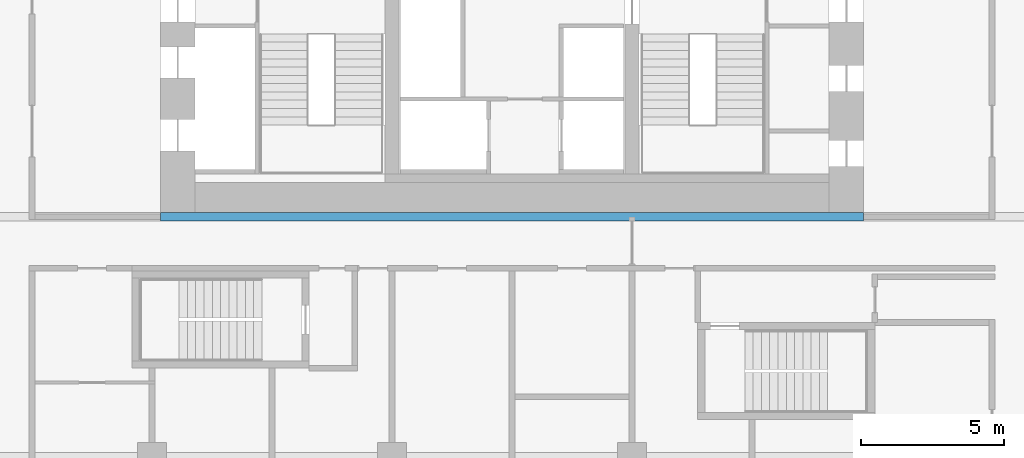
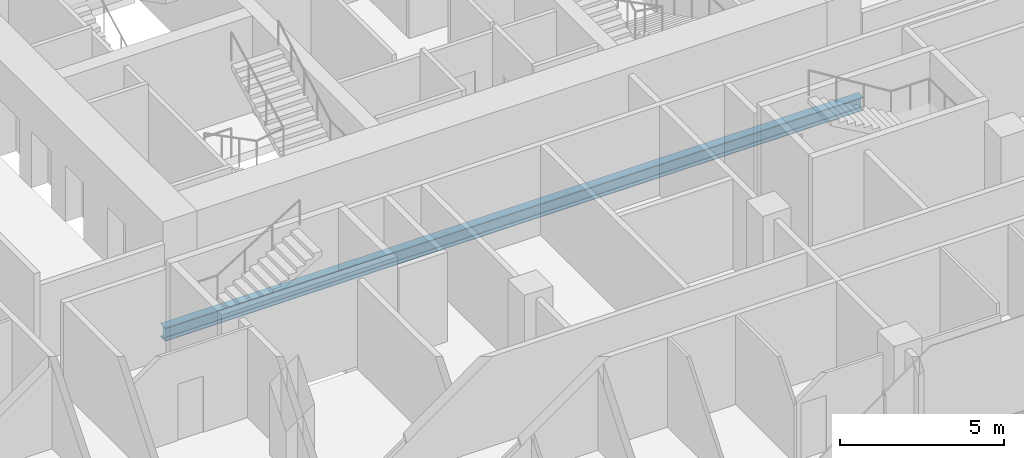
# One storey, part 5 of 26: 1 beam.
"""IFC4 building model written with IfcOpenShell, lengths in metres."""

from ifc_helpers import new_model, si_unit, direction, frame, origin, origin_2d, place, context, subcontext, project, spatial, i_section, extrude, material, material_profile, profile_set, type_object, element, save


model = new_model("IFC4")

# Units and contexts
model_context = context("Model", 3, precision=1e-05, world=origin(), true_north=direction((0.0, 1.0)))
body_context = subcontext(model_context, "Body", "Model", "MODEL_VIEW")
ifc_project = project(units=[si_unit("LENGTHUNIT", "METRE"), si_unit("AREAUNIT", "SQUARE_METRE"), si_unit("VOLUMEUNIT", "CUBIC_METRE"), si_unit("PLANEANGLEUNIT", "RADIAN"), si_unit("MASSUNIT", "GRAM", prefix="KILO")], contexts=[model_context])

# Site, building, storey
site_placement = place(None, origin())
site = spatial("IfcSite", under=ifc_project, at=site_placement, CompositionType="ELEMENT")
building_placement = place(site_placement, origin())
building = spatial("IfcBuilding", under=site, at=building_placement, Name="Marenta Gate Hotel Tower", CompositionType="ELEMENT")
storey_placement = place(building_placement, frame((0.0, 0.0, 58.10009765625)))
storey = spatial("IfcBuildingStorey", under=building, at=storey_placement, Name="L12", CompositionType="ELEMENT", Elevation=58.10009765625)

# Beam
ifc_material = material(Name="Steel S355", Category="steel")
ifc_material_profile = material_profile(ifc_material, i_section(OverallWidth=0.300048828125, OverallDepth=0.5, WebThickness=0.014404296875, FlangeThickness=0.028076171875, FilletRadius=0.027099609375, at=origin_2d()), Name="HEB 500")
ifc_profile_set = profile_set([ifc_material_profile], Name="Steel S355")
beam_type = type_object("IfcBeamType", Name="Girder HEB 500", PredefinedType="BEAM", material=ifc_profile_set)
beam_placement = place(storey_placement, frame((-12.300048828125, 0.0, -0.510009765625), z_axis=(1.0, 0.0, 0.0), x_axis=(0.0, 1.0, 0.0)))
element("IfcBeam", 1, at=beam_placement, inside=storey, type_object=beam_type, Name="L12-GD-10", PredefinedType="BEAM", context=body_context, shape_type="SweptSolid", body=[
    extrude(i_section(OverallWidth=0.300048828125, OverallDepth=0.5, WebThickness=0.014404296875, FlangeThickness=0.028076171875, FilletRadius=0.027099609375, at=origin_2d()), origin(), (0.0, 0.0, 1.0), 24.60009765625),
])

save(model, "model.ifc")
